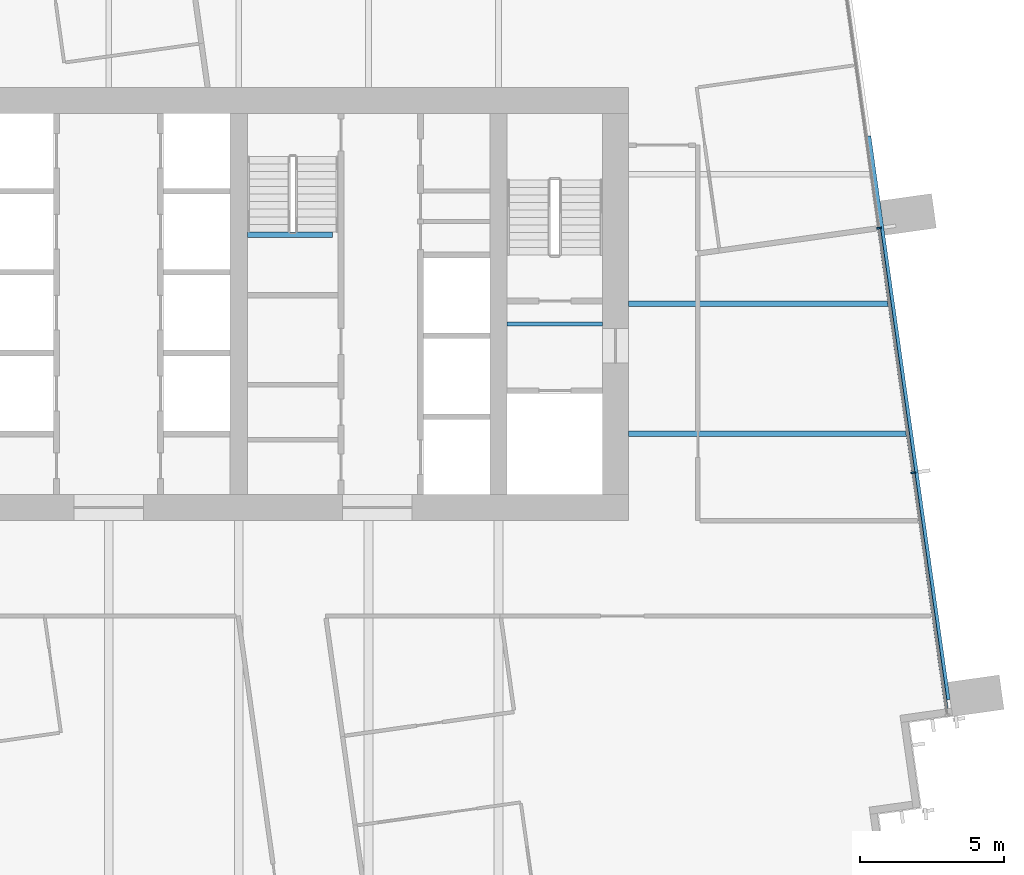
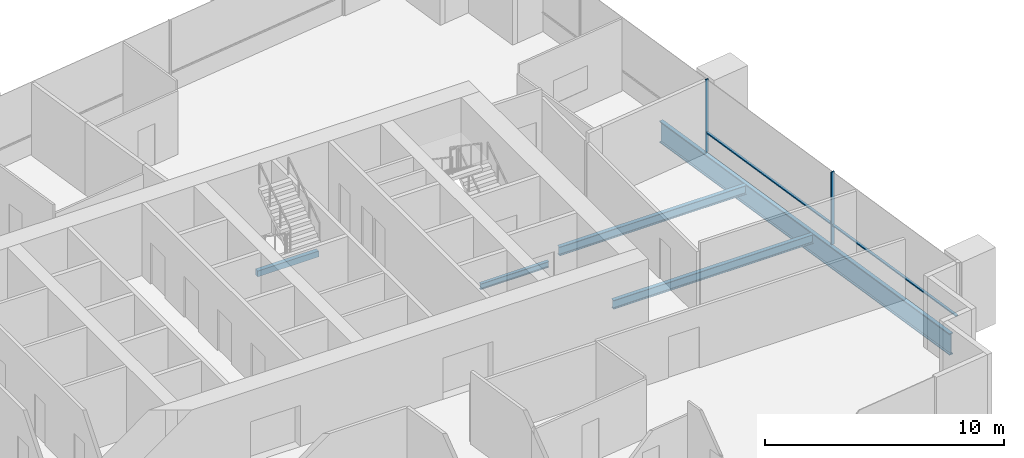
# One storey, part 5 of 14: 5 beams, 4 members, 1 element without a shape of its own.
"""IFC4 building model written with IfcOpenShell, lengths in metres."""

from ifc_helpers import new_model, si_unit, direction, frame, origin, origin_2d, place, context, subcontext, project, spatial, rectangle, i_section, extrude, material, material_profile, profile_set, type_object, element, aggregate, save


model = new_model("IFC4")

# Units and contexts
model_context = context("Model", 3, precision=1e-05, world=origin(), true_north=direction((0.0, 1.0)))
body_context = subcontext(model_context, "Body", "Model", "MODEL_VIEW")
ifc_project = project(units=[si_unit("LENGTHUNIT", "METRE"), si_unit("AREAUNIT", "SQUARE_METRE"), si_unit("VOLUMEUNIT", "CUBIC_METRE"), si_unit("PLANEANGLEUNIT", "RADIAN"), si_unit("MASSUNIT", "GRAM", prefix="KILO")], contexts=[model_context])

# Site, building, storey
site_placement = place(None, origin())
site = spatial("IfcSite", under=ifc_project, at=site_placement, CompositionType="ELEMENT")
building_placement = place(site_placement, origin())
building = spatial("IfcBuilding", under=site, at=building_placement, Name="Rattan Terrace Tower", CompositionType="ELEMENT")
storey_placement = place(building_placement, frame((0.0, 0.0, 195.800048828125)))
storey = spatial("IfcBuildingStorey", under=building, at=storey_placement, Name="L45", CompositionType="ELEMENT", Elevation=195.800048828125)

# Beam
ifc_material_1 = material(Name="Concrete C40/50", Category="concrete")
ifc_material_profile_1 = material_profile(ifc_material_1, rectangle(XDim=0.199951171875, YDim=0.300048828125, at=origin_2d()), Name="RC 200x300")
ifc_profile_set_1 = profile_set([ifc_material_profile_1], Name="Concrete C40/50")
beam_type_1 = type_object("IfcBeamType", Name="Core landing beam RC 200x300", PredefinedType="BEAM", material=ifc_profile_set_1)
beam_1_placement = place(storey_placement, frame((4.800048828125, 2.39990234375, 1.599853515625), z_axis=(1.0, 0.0, 0.0), x_axis=(0.0, 1.0, 0.0)))
element("IfcBeam", 1, at=beam_1_placement, inside=storey, type_object=beam_type_1, Name="st-S3-L45 landing 1 edge beam", PredefinedType="BEAM", context=body_context, shape_type="SweptSolid", body=[
    extrude(rectangle(XDim=0.199951171875, YDim=0.300048828125, at=origin_2d()), origin(), (0.0, 0.0, 1.0), 2.949951171875),
])

# Curtain wall, members
ifc_material_2 = material(Name="Aluminium and glass", Category="aluminium")
curtain_wall_type = type_object("IfcCurtainWallType", Name="Facade Unitised Curtain Wall", PredefinedType="NOTDEFINED", material=ifc_material_2)
curtain_wall_placement = place(storey_placement, origin())
curtain_wall = element("IfcCurtainWall", 2, at=curtain_wall_placement, inside=storey, type_object=curtain_wall_type, Name="Curtain wall L45-1", PredefinedType="NOTDEFINED")
ifc_material_3 = material(Name="Aluminium", Category="aluminium")
ifc_material_profile_2 = material_profile(ifc_material_3, rectangle(XDim=0.06005859375, YDim=0.159912109375, at=origin_2d()), Name="Aluminium 60x160")
ifc_profile_set_2 = profile_set([ifc_material_profile_2], Name="Aluminium")
member_type_1 = type_object("IfcMemberType", Name="Facade CW Mullion 60x160", PredefinedType="MULLION", material=ifc_profile_set_2)
member_1_placement = place(storey_placement, frame((27.857666015625, -5.8408203125, 0.0), z_axis=(0.0, 0.0, 1.0), x_axis=(-0.139190856006, 0.99026557327, 0.0)))
member_1 = element("IfcMember", 3, at=member_1_placement, type_object=member_type_1, Name="Mullion cwl-L45-001.2", PredefinedType="MULLION", context=body_context, shape_type="SweptSolid", body=[
    extrude(rectangle(XDim=0.06005859375, YDim=0.159912109375, at=origin_2d()), origin(), (0.0, 0.0, 1.0), 3.699951171875),
])
member_2_placement = place(storey_placement, frame((26.66748046875, 2.6259765625, 0.0), z_axis=(0.0, 0.0, 1.0), x_axis=(-0.139190856006, 0.99026557327, 0.0)))
member_2 = element("IfcMember", 4, at=member_2_placement, type_object=member_type_1, Name="Mullion cwl-L45-001.3", PredefinedType="MULLION", context=body_context, shape_type="SweptSolid", body=[
    extrude(rectangle(XDim=0.06005859375, YDim=0.159912109375, at=origin_2d()), origin(), (0.0, 0.0, 1.0), 3.699951171875),
])
ifc_material_4 = material(Name="Aluminium", Category="aluminium")
ifc_material_profile_3 = material_profile(ifc_material_4, rectangle(XDim=0.1201171875, YDim=0.06005859375, at=origin_2d()), Name="Aluminium 120x60")
ifc_profile_set_3 = profile_set([ifc_material_profile_3], Name="Aluminium")
member_type_2 = type_object("IfcMemberType", Name="Facade CW Transom 120x60", PredefinedType="USERDEFINED", material=ifc_profile_set_3)
member_3_placement = place(storey_placement, frame((29.032958984375, -14.20361328125, 1.0), z_axis=(-0.139174814558, 0.99026782791, 0.0), x_axis=(-0.99026782791, -0.139174814558, 0.0)))
member_3 = element("IfcMember", 5, at=member_3_placement, type_object=member_type_2, Name="Transom cwl-L45-001.1", ObjectType="TRANSOM", PredefinedType="USERDEFINED", context=body_context, shape_type="SweptSolid", body=[
    extrude(rectangle(XDim=0.1201171875, YDim=0.06005859375, at=origin_2d()), origin(), (0.0, 0.0, 1.0), 8.414794921875),
])
member_4_placement = place(storey_placement, frame((27.853515625, -5.811279296875, 1.0), z_axis=(-0.139206806234, 0.990263331189, 0.0), x_axis=(-0.990263331189, -0.139206806234, 0.0)))
member_4 = element("IfcMember", 6, at=member_4_placement, type_object=member_type_2, Name="Transom cwl-L45-001.2", ObjectType="TRANSOM", PredefinedType="USERDEFINED", context=body_context, shape_type="SweptSolid", body=[
    extrude(rectangle(XDim=0.1201171875, YDim=0.06005859375, at=origin_2d()), origin(), (0.0, 0.0, 1.0), 8.490234375),
])
aggregate(curtain_wall, [member_1, member_2, member_3, member_4])

# Beams
ifc_material_5 = material(Name="Steel S460", Category="steel")
ifc_material_profile_4 = material_profile(ifc_material_5, i_section(OverallWidth=0.179931640625, OverallDepth=1.10009765625, WebThickness=0.01611328125, FlangeThickness=0.050048828125, at=origin_2d()), Name="PG 1100x180-16-50")
ifc_profile_set_4 = profile_set([ifc_material_profile_4], Name="Steel S460")
beam_type_2 = type_object("IfcBeamType", Name="Frame edge girder PG 1100x180-16-50", PredefinedType="SPANDREL", material=ifc_profile_set_4)
beam_2_placement = place(storey_placement, frame((26.301025390625, 5.81201171875, -0.75), z_axis=(0.139187065437, -0.990266106062, 0.0), x_axis=(0.990266106062, 0.139187065437, 0.0)))
element("IfcBeam", 7, at=beam_2_placement, inside=storey, type_object=beam_type_2, Name="gdr-L45-005", PredefinedType="SPANDREL", context=body_context, shape_type="SweptSolid", body=[
    extrude(i_section(OverallWidth=0.179931640625, OverallDepth=1.10009765625, WebThickness=0.01611328125, FlangeThickness=0.050048828125, at=origin_2d()), origin(), (0.0, 0.0, 1.0), 19.706787109375),
])
ifc_material_6 = material(Name="Steel S355", Category="steel")
ifc_material_profile_5 = material_profile(ifc_material_6, i_section(OverallWidth=0.14990234375, OverallDepth=0.300048828125, WebThickness=0.007080078125, FlangeThickness=0.0107421875, FilletRadius=0.014892578125, at=origin_2d()), Name="IPE 300")
ifc_profile_set_5 = profile_set([ifc_material_profile_5], Name="Steel S355")
beam_type_3 = type_object("IfcBeamType", Name="Frame floor beam IPE 300", PredefinedType="JOIST", material=ifc_profile_set_5)
beam_3_placement = place(storey_placement, frame((13.800048828125, -0.695068359375, -0.35009765625), z_axis=(1.0, 0.0, 0.0), x_axis=(0.0, 1.0, 0.0)))
element("IfcBeam", 8, at=beam_3_placement, inside=storey, type_object=beam_type_3, Name="bm-L45-002", PredefinedType="JOIST", context=body_context, shape_type="SweptSolid", body=[
    extrude(i_section(OverallWidth=0.14990234375, OverallDepth=0.300048828125, WebThickness=0.007080078125, FlangeThickness=0.0107421875, FilletRadius=0.014892578125, at=origin_2d()), origin(), (0.0, 0.0, 1.0), 3.300048828125),
])
ifc_material_7 = material(Name="Steel S355", Category="steel")
ifc_material_profile_6 = material_profile(ifc_material_7, i_section(OverallWidth=0.18994140625, OverallDepth=0.449951171875, WebThickness=0.009521484375, FlangeThickness=0.0146484375, FilletRadius=0.02099609375, at=origin_2d()), Name="IPE 450")
ifc_profile_set_6 = profile_set([ifc_material_profile_6], Name="Steel S355")
beam_type_4 = type_object("IfcBeamType", Name="Frame floor beam IPE 450", PredefinedType="JOIST", material=ifc_profile_set_6)
beam_4_placement = place(storey_placement, frame((18.0, -4.5, -0.425048828125), z_axis=(1.0, 0.0, 0.0), x_axis=(0.0, 1.0, 0.0)))
element("IfcBeam", 9, at=beam_4_placement, inside=storey, type_object=beam_type_4, Name="bm-L45-011", PredefinedType="JOIST", context=body_context, shape_type="SweptSolid", body=[
    extrude(i_section(OverallWidth=0.18994140625, OverallDepth=0.449951171875, WebThickness=0.009521484375, FlangeThickness=0.0146484375, FilletRadius=0.02099609375, at=origin_2d()), origin(), (0.0, 0.0, 1.0), 9.64599609375),
])
beam_5_placement = place(storey_placement, frame((18.0, 0.0, -0.425048828125), z_axis=(1.0, 0.0, 0.0), x_axis=(0.0, 1.0, 0.0)))
element("IfcBeam", 10, at=beam_5_placement, inside=storey, type_object=beam_type_4, Name="bm-L45-013", PredefinedType="JOIST", context=body_context, shape_type="SweptSolid", body=[
    extrude(i_section(OverallWidth=0.18994140625, OverallDepth=0.449951171875, WebThickness=0.009521484375, FlangeThickness=0.0146484375, FilletRadius=0.02099609375, at=origin_2d()), origin(), (0.0, 0.0, 1.0), 9.013916015625),
])

save(model, "model.ifc")
